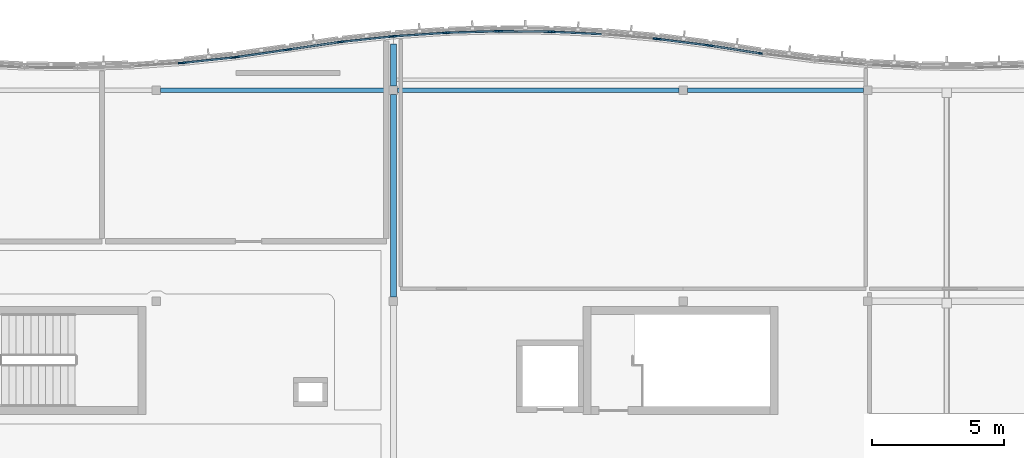
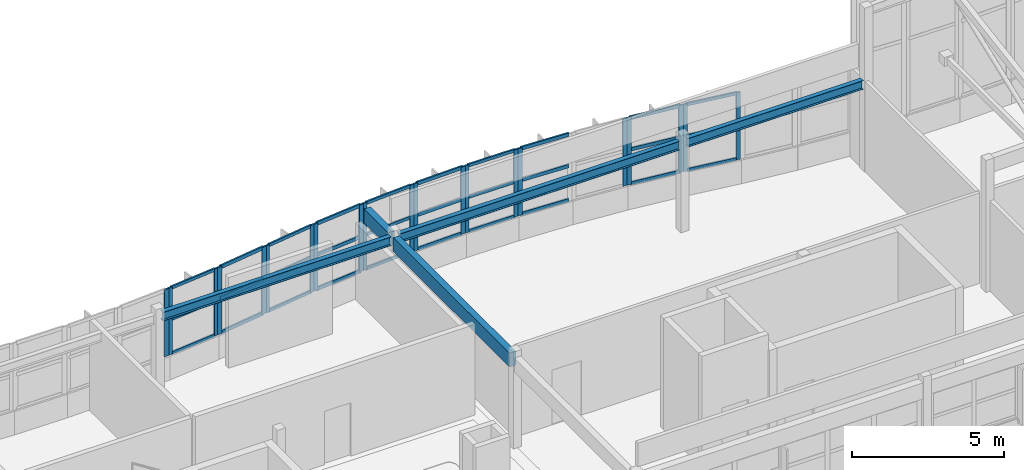
# One storey, part 10 of 33: 51 members, 5 beams, 12 elements without a shape of their own.
"""IFC4 building model written with IfcOpenShell, lengths in metres."""

from ifc_helpers import new_model, si_unit, direction, frame, origin, origin_2d, place, context, subcontext, project, spatial, rectangle, i_section, extrude, material, layer, layer_set, material_profile, profile_set, type_object, element, aggregate, save


model = new_model("IFC4")

# Units and contexts
model_context = context("Model", 3, precision=1e-05, world=origin(), true_north=direction((0.0, 1.0)))
body_context = subcontext(model_context, "Body", "Model", "MODEL_VIEW")
ifc_project = project(units=[si_unit("LENGTHUNIT", "METRE"), si_unit("AREAUNIT", "SQUARE_METRE"), si_unit("VOLUMEUNIT", "CUBIC_METRE"), si_unit("PLANEANGLEUNIT", "RADIAN"), si_unit("MASSUNIT", "GRAM", prefix="KILO")], contexts=[model_context])

# Site, building, storey
site_placement = place(None, origin())
site = spatial("IfcSite", under=ifc_project, at=site_placement, CompositionType="ELEMENT")
building_placement = place(site_placement, origin())
building = spatial("IfcBuilding", under=site, at=building_placement, Name="Tonlespit Floodbar School", CompositionType="ELEMENT")
storey_placement = place(building_placement, frame((0.0, 0.0, 16.199951171875)))
storey = spatial("IfcBuildingStorey", under=building, at=storey_placement, Name="L04", CompositionType="ELEMENT", Elevation=16.199951171875)

# Beams
ifc_material_1 = material(Name="Glulam GL28h", Category="wood")
ifc_material_profile_1 = material_profile(ifc_material_1, rectangle(XDim=0.239990234375, YDim=0.56005859375, at=origin_2d()), Name="GL 240x560")
ifc_profile_set_1 = profile_set([ifc_material_profile_1], Name="Glulam GL28h")
beam_type_1 = type_object("IfcBeamType", Name="Beam_GL_240x560", PredefinedType="BEAM", material=ifc_profile_set_1)
beam_1_placement = place(storey_placement, frame((116.0, 112.159912109375, 3.3701171875), z_axis=(0.0, 1.0, 0.0), x_axis=(-1.0, 0.0, 0.0)))
element("IfcBeam", 1, at=beam_1_placement, inside=storey, type_object=beam_type_1, Name="L04 girder 1320", PredefinedType="BEAM", context=body_context, shape_type="SweptSolid", body=[
    extrude(rectangle(XDim=0.239990234375, YDim=0.56005859375, at=origin_2d()), origin(), (0.0, 0.0, 1.0), 7.68017578125),
])
beam_2_placement = place(storey_placement, frame((116.0, 120.159912109375, 3.3701171875), z_axis=(0.0, 1.0, 0.0), x_axis=(-1.0, 0.0, 0.0)))
element("IfcBeam", 2, at=beam_2_placement, inside=storey, type_object=beam_type_1, Name="L04 north street wave cantilever bracket", PredefinedType="BEAM", context=body_context, shape_type="SweptSolid", body=[
    extrude(rectangle(XDim=0.239990234375, YDim=0.56005859375, at=origin_2d()), origin(), (0.0, 0.0, 1.0), 1.594482421875),
])

# Curtain wall, members
ifc_material_2 = material(Name="Anodised Aluminium", Category="aluminium")
ifc_layer_1 = layer(ifc_material_2, 0.159912109375)
ifc_layer_set_1 = layer_set([ifc_layer_1], Name="Anodised Aluminium")
curtain_wall_type_1 = type_object("IfcCurtainWallType", Name="CurtainWall_1950x2700", PredefinedType="NOTDEFINED", material=ifc_layer_set_1)
curtain_wall_1_placement = place(storey_placement, origin())
curtain_wall_1 = element("IfcCurtainWall", 3, at=curtain_wall_1_placement, inside=storey, type_object=curtain_wall_type_1, Name="L04 unitised curtain wall 0198", PredefinedType="NOTDEFINED")
ifc_material_profile_2 = material_profile(ifc_material_2, rectangle(XDim=0.06494140625, YDim=0.14990234375, at=origin_2d()), Name="ALU M65x150")
ifc_profile_set_2 = profile_set([ifc_material_profile_2], Name="Anodised Aluminium")
member_type_1 = type_object("IfcMemberType", Name="CW_Mullion_65x150", PredefinedType="MULLION", material=ifc_profile_set_2)
member_1_placement = place(storey_placement, frame((108.072021484375, 121.05322265625, 0.949951171875), z_axis=(0.0, 0.0, 1.0), x_axis=(-0.105787143968, 0.994388797288, 0.0)))
member_1 = element("IfcMember", 4, at=member_1_placement, type_object=member_type_1, Name="CW-04 mullion 1", PredefinedType="MULLION", context=body_context, shape_type="SweptSolid", body=[
    extrude(rectangle(XDim=0.06494140625, YDim=0.14990234375, at=origin_2d()), origin(), (0.0, 0.0, 1.0), 2.7001953125),
])
member_2_placement = place(storey_placement, frame((109.927978515625, 121.250732421875, 0.949951171875), z_axis=(0.0, 0.0, 1.0), x_axis=(-0.105787143968, 0.994388797288, 0.0)))
member_2 = element("IfcMember", 5, at=member_2_placement, type_object=member_type_1, Name="CW-04 mullion 2", PredefinedType="MULLION", context=body_context, shape_type="SweptSolid", body=[
    extrude(rectangle(XDim=0.06494140625, YDim=0.14990234375, at=origin_2d()), origin(), (0.0, 0.0, 1.0), 2.7001953125),
])

curtain_wall_2_placement = place(storey_placement, origin())
curtain_wall_2 = element("IfcCurtainWall", 6, at=curtain_wall_2_placement, inside=storey, type_object=curtain_wall_type_1, Name="L04 unitised curtain wall 0200", PredefinedType="NOTDEFINED")
member_3_placement = place(storey_placement, frame((112.07177734375, 121.560546875, 0.949951171875), z_axis=(0.0, 0.0, 1.0), x_axis=(-0.144248041079, 0.989541561858, 0.0)))
member_3 = element("IfcMember", 7, at=member_3_placement, type_object=member_type_1, Name="CW-04 mullion 1", PredefinedType="MULLION", context=body_context, shape_type="SweptSolid", body=[
    extrude(rectangle(XDim=0.06494140625, YDim=0.14990234375, at=origin_2d()), origin(), (0.0, 0.0, 1.0), 2.7001953125),
])
member_4_placement = place(storey_placement, frame((113.92822265625, 121.8310546875, 0.949951171875), z_axis=(0.0, 0.0, 1.0), x_axis=(-0.144248041079, 0.989541561858, 0.0)))
member_4 = element("IfcMember", 8, at=member_4_placement, type_object=member_type_1, Name="CW-04 mullion 2", PredefinedType="MULLION", context=body_context, shape_type="SweptSolid", body=[
    extrude(rectangle(XDim=0.06494140625, YDim=0.14990234375, at=origin_2d()), origin(), (0.0, 0.0, 1.0), 2.7001953125),
])

ifc_layer_2 = layer(ifc_material_2, 0.159912109375)
ifc_layer_set_2 = layer_set([ifc_layer_2], Name="Anodised Aluminium")
curtain_wall_type_2 = type_object("IfcCurtainWallType", Name="CurtainWall_1900x2700", PredefinedType="NOTDEFINED", material=ifc_layer_set_2)
curtain_wall_3_placement = place(storey_placement, origin())
curtain_wall_3 = element("IfcCurtainWall", 9, at=curtain_wall_3_placement, inside=storey, type_object=curtain_wall_type_2, Name="L04 unitised curtain wall 0474", PredefinedType="NOTDEFINED")
member_5_placement = place(storey_placement, frame((116.072265625, 122.05908203125, 0.949951171875), z_axis=(0.0, 0.0, 1.0), x_axis=(-0.067339767311, 0.99773010165, 0.0)))
member_5 = element("IfcMember", 10, at=member_5_placement, type_object=member_type_1, Name="CW-05 mullion 1", PredefinedType="MULLION", context=body_context, shape_type="SweptSolid", body=[
    extrude(rectangle(XDim=0.06494140625, YDim=0.14990234375, at=origin_2d()), origin(), (0.0, 0.0, 1.0), 2.7041015625),
])
member_6_placement = place(storey_placement, frame((117.927734375, 122.184326171875, 0.949951171875), z_axis=(0.0, 0.0, 1.0), x_axis=(-0.067339767311, 0.99773010165, 0.0)))
member_6 = element("IfcMember", 11, at=member_6_placement, type_object=member_type_1, Name="CW-05 mullion 2", PredefinedType="MULLION", context=body_context, shape_type="SweptSolid", body=[
    extrude(rectangle(XDim=0.06494140625, YDim=0.14990234375, at=origin_2d()), origin(), (0.0, 0.0, 1.0), 2.7041015625),
])

curtain_wall_4_placement = place(storey_placement, origin())
curtain_wall_4 = element("IfcCurtainWall", 12, at=curtain_wall_4_placement, inside=storey, type_object=curtain_wall_type_2, Name="L04 unitised curtain wall 0476", PredefinedType="NOTDEFINED")
member_7_placement = place(storey_placement, frame((120.072509765625, 122.246337890625, 0.949951171875), z_axis=(0.0, 0.0, 1.0), x_axis=(0.009582893292, 0.999954083024, 0.0)))
member_7 = element("IfcMember", 13, at=member_7_placement, type_object=member_type_1, Name="CW-05 mullion 1", PredefinedType="MULLION", context=body_context, shape_type="SweptSolid", body=[
    extrude(rectangle(XDim=0.06494140625, YDim=0.14990234375, at=origin_2d()), origin(), (0.0, 0.0, 1.0), 2.7041015625),
])
member_8_placement = place(storey_placement, frame((121.927490234375, 122.228515625, 0.949951171875), z_axis=(0.0, 0.0, 1.0), x_axis=(0.009582893292, 0.999954083024, 0.0)))
member_8 = element("IfcMember", 14, at=member_8_placement, type_object=member_type_1, Name="CW-05 mullion 2", PredefinedType="MULLION", context=body_context, shape_type="SweptSolid", body=[
    extrude(rectangle(XDim=0.06494140625, YDim=0.14990234375, at=origin_2d()), origin(), (0.0, 0.0, 1.0), 2.7041015625),
])

# Curtain wall, member
curtain_wall_5_placement = place(storey_placement, origin())
curtain_wall_5 = element("IfcCurtainWall", 15, at=curtain_wall_5_placement, inside=storey, type_object=curtain_wall_type_1, Name="L04 unitised curtain wall 0478", PredefinedType="NOTDEFINED")
member_9_placement = place(storey_placement, frame((125.927734375, 121.964111328125, 0.949951171875), z_axis=(0.0, 0.0, 1.0), x_axis=(0.086531117454, 0.996249148412, 0.0)))
member_9 = element("IfcMember", 16, at=member_9_placement, type_object=member_type_1, Name="CW-04 mullion 2", PredefinedType="MULLION", context=body_context, shape_type="SweptSolid", body=[
    extrude(rectangle(XDim=0.06494140625, YDim=0.14990234375, at=origin_2d()), origin(), (0.0, 0.0, 1.0), 2.7041015625),
])
aggregate(curtain_wall_5, [member_9])

# Curtain wall, members
curtain_wall_6_placement = place(storey_placement, origin())
curtain_wall_6 = element("IfcCurtainWall", 17, at=curtain_wall_6_placement, inside=storey, type_object=curtain_wall_type_1, Name="L04 unitised curtain wall 0480", PredefinedType="NOTDEFINED")
member_10_placement = place(storey_placement, frame((128.071533203125, 121.694580078125, 0.949951171875), z_axis=(0.0, 0.0, 1.0), x_axis=(0.153796288585, 0.988102576465, 0.0)))
member_10 = element("IfcMember", 18, at=member_10_placement, type_object=member_type_1, Name="CW-04 mullion 1", PredefinedType="MULLION", context=body_context, shape_type="SweptSolid", body=[
    extrude(rectangle(XDim=0.06494140625, YDim=0.14990234375, at=origin_2d()), origin(), (0.0, 0.0, 1.0), 2.7041015625),
])
member_11_placement = place(storey_placement, frame((129.928466796875, 121.405517578125, 0.949951171875), z_axis=(0.0, 0.0, 1.0), x_axis=(0.153796288585, 0.988102576465, 0.0)))
member_11 = element("IfcMember", 19, at=member_11_placement, type_object=member_type_1, Name="CW-04 mullion 2", PredefinedType="MULLION", context=body_context, shape_type="SweptSolid", body=[
    extrude(rectangle(XDim=0.06494140625, YDim=0.14990234375, at=origin_2d()), origin(), (0.0, 0.0, 1.0), 2.7041015625),
])

# Curtain wall, member
curtain_wall_7_placement = place(storey_placement, origin())
curtain_wall_7 = element("IfcCurtainWall", 20, at=curtain_wall_7_placement, inside=storey, type_object=curtain_wall_type_2, Name="L04 unitised curtain wall 0197", PredefinedType="NOTDEFINED")
ifc_material_profile_3 = material_profile(ifc_material_2, rectangle(XDim=0.06494140625, YDim=0.179931640625, at=origin_2d()), Name="ALU M65x180")
ifc_profile_set_3 = profile_set([ifc_material_profile_3], Name="Anodised Aluminium")
member_type_2 = type_object("IfcMemberType", Name="CW_Mullion_65x180", PredefinedType="MULLION", material=ifc_profile_set_3)
member_12_placement = place(storey_placement, frame((107.927734375, 121.040771484375, 0.949951171875), z_axis=(0.0, 0.0, 1.0), x_axis=(-0.067339767311, 0.99773010165, 0.0)))
member_12 = element("IfcMember", 21, at=member_12_placement, type_object=member_type_2, Name="CW-05 mullion 2", PredefinedType="MULLION", context=body_context, shape_type="SweptSolid", body=[
    extrude(rectangle(XDim=0.06494140625, YDim=0.179931640625, at=origin_2d()), origin(), (0.0, 0.0, 1.0), 2.7001953125),
])
aggregate(curtain_wall_7, [member_12])

# Curtain wall, members
curtain_wall_8_placement = place(storey_placement, origin())
curtain_wall_8 = element("IfcCurtainWall", 22, at=curtain_wall_8_placement, inside=storey, type_object=curtain_wall_type_1, Name="L04 unitised curtain wall 0199", PredefinedType="NOTDEFINED")
member_13_placement = place(storey_placement, frame((110.07177734375, 121.268798828125, 0.949951171875), z_axis=(0.0, 0.0, 1.0), x_axis=(-0.144248041079, 0.989541561858, 0.0)))
member_13 = element("IfcMember", 23, at=member_13_placement, type_object=member_type_2, Name="CW-04 mullion 1", PredefinedType="MULLION", context=body_context, shape_type="SweptSolid", body=[
    extrude(rectangle(XDim=0.06494140625, YDim=0.179931640625, at=origin_2d()), origin(), (0.0, 0.0, 1.0), 2.7001953125),
])
member_14_placement = place(storey_placement, frame((111.92822265625, 121.53955078125, 0.949951171875), z_axis=(0.0, 0.0, 1.0), x_axis=(-0.144248041079, 0.989541561858, 0.0)))
member_14 = element("IfcMember", 24, at=member_14_placement, type_object=member_type_2, Name="CW-04 mullion 2", PredefinedType="MULLION", context=body_context, shape_type="SweptSolid", body=[
    extrude(rectangle(XDim=0.06494140625, YDim=0.179931640625, at=origin_2d()), origin(), (0.0, 0.0, 1.0), 2.7001953125),
])

curtain_wall_9_placement = place(storey_placement, origin())
curtain_wall_9 = element("IfcCurtainWall", 25, at=curtain_wall_9_placement, inside=storey, type_object=curtain_wall_type_1, Name="L04 unitised curtain wall 0201", PredefinedType="NOTDEFINED")
member_15_placement = place(storey_placement, frame((114.072021484375, 121.84912109375, 0.949951171875), z_axis=(0.0, 0.0, 1.0), x_axis=(-0.105787143968, 0.994388797288, 0.0)))
member_15 = element("IfcMember", 26, at=member_15_placement, type_object=member_type_2, Name="CW-04 mullion 1", PredefinedType="MULLION", context=body_context, shape_type="SweptSolid", body=[
    extrude(rectangle(XDim=0.06494140625, YDim=0.179931640625, at=origin_2d()), origin(), (0.0, 0.0, 1.0), 2.7001953125),
])
member_16_placement = place(storey_placement, frame((115.927978515625, 122.046630859375, 0.949951171875), z_axis=(0.0, 0.0, 1.0), x_axis=(-0.105787143968, 0.994388797288, 0.0)))
member_16 = element("IfcMember", 27, at=member_16_placement, type_object=member_type_2, Name="CW-04 mullion 2", PredefinedType="MULLION", context=body_context, shape_type="SweptSolid", body=[
    extrude(rectangle(XDim=0.06494140625, YDim=0.179931640625, at=origin_2d()), origin(), (0.0, 0.0, 1.0), 2.7001953125),
])

curtain_wall_10_placement = place(storey_placement, origin())
curtain_wall_10 = element("IfcCurtainWall", 28, at=curtain_wall_10_placement, inside=storey, type_object=curtain_wall_type_2, Name="L04 unitised curtain wall 0475", PredefinedType="NOTDEFINED")
member_17_placement = place(storey_placement, frame((118.072509765625, 122.19140625, 0.949951171875), z_axis=(0.0, 0.0, 1.0), x_axis=(-0.028790144226, 0.999585477883, 0.0)))
member_17 = element("IfcMember", 29, at=member_17_placement, type_object=member_type_2, Name="CW-05 mullion 1", PredefinedType="MULLION", context=body_context, shape_type="SweptSolid", body=[
    extrude(rectangle(XDim=0.06494140625, YDim=0.179931640625, at=origin_2d()), origin(), (0.0, 0.0, 1.0), 2.7041015625),
])
member_18_placement = place(storey_placement, frame((119.927490234375, 122.244873046875, 0.949951171875), z_axis=(0.0, 0.0, 1.0), x_axis=(-0.028790144226, 0.999585477883, 0.0)))
member_18 = element("IfcMember", 30, at=member_18_placement, type_object=member_type_2, Name="CW-05 mullion 2", PredefinedType="MULLION", context=body_context, shape_type="SweptSolid", body=[
    extrude(rectangle(XDim=0.06494140625, YDim=0.179931640625, at=origin_2d()), origin(), (0.0, 0.0, 1.0), 2.7041015625),
])

# Curtain wall, member
curtain_wall_11_placement = place(storey_placement, origin())
curtain_wall_11 = element("IfcCurtainWall", 31, at=curtain_wall_11_placement, inside=storey, type_object=curtain_wall_type_2, Name="L04 unitised curtain wall 0477", PredefinedType="NOTDEFINED")
member_19_placement = place(storey_placement, frame((122.072509765625, 122.224365234375, 0.949951171875), z_axis=(0.0, 0.0, 1.0), x_axis=(0.048121270216, 0.998841500616, 0.0)))
member_19 = element("IfcMember", 32, at=member_19_placement, type_object=member_type_2, Name="CW-05 mullion 1", PredefinedType="MULLION", context=body_context, shape_type="SweptSolid", body=[
    extrude(rectangle(XDim=0.06494140625, YDim=0.179931640625, at=origin_2d()), origin(), (0.0, 0.0, 1.0), 2.7041015625),
])

# Curtain wall, members
curtain_wall_12_placement = place(storey_placement, origin())
curtain_wall_12 = element("IfcCurtainWall", 33, at=curtain_wall_12_placement, inside=storey, type_object=curtain_wall_type_1, Name="L04 unitised curtain wall 0479", PredefinedType="NOTDEFINED")
member_20_placement = place(storey_placement, frame((126.072021484375, 121.94873046875, 0.949951171875), z_axis=(0.0, 0.0, 1.0), x_axis=(0.125013803299, 0.992155002499, 0.0)))
member_20 = element("IfcMember", 34, at=member_20_placement, type_object=member_type_2, Name="CW-04 mullion 1", PredefinedType="MULLION", context=body_context, shape_type="SweptSolid", body=[
    extrude(rectangle(XDim=0.06494140625, YDim=0.179931640625, at=origin_2d()), origin(), (0.0, 0.0, 1.0), 2.7041015625),
])
member_21_placement = place(storey_placement, frame((127.927978515625, 121.71484375, 0.949951171875), z_axis=(0.0, 0.0, 1.0), x_axis=(0.125013803299, 0.992155002499, 0.0)))
member_21 = element("IfcMember", 35, at=member_21_placement, type_object=member_type_2, Name="CW-04 mullion 2", PredefinedType="MULLION", context=body_context, shape_type="SweptSolid", body=[
    extrude(rectangle(XDim=0.06494140625, YDim=0.179931640625, at=origin_2d()), origin(), (0.0, 0.0, 1.0), 2.7041015625),
])

# Member
ifc_material_profile_4 = material_profile(ifc_material_2, rectangle(XDim=0.06494140625, YDim=0.1201171875, at=origin_2d()), Name="ALU T65x120")
ifc_profile_set_4 = profile_set([ifc_material_profile_4], Name="Anodised Aluminium")
member_type_3 = type_object("IfcMemberType", Name="CW_Transom_65x120", PredefinedType="USERDEFINED", material=ifc_profile_set_4)
member_22_placement = place(storey_placement, frame((108.1044921875, 121.056884765625, 0.982666015625), z_axis=(0.994394979136, 0.105729019047, 0.0), x_axis=(-0.105729019047, 0.994394979136, 0.0)))
member_22 = element("IfcMember", 36, at=member_22_placement, type_object=member_type_3, Name="CW-04 transom 1.1", ObjectType="TRANSOM", PredefinedType="USERDEFINED", context=body_context, shape_type="SweptSolid", body=[
    extrude(rectangle(XDim=0.06494140625, YDim=0.1201171875, at=origin_2d()), origin(), (0.0, 0.0, 1.0), 1.801025390625),
])

member_23_placement = place(storey_placement, frame((108.1044921875, 121.056884765625, 2.35400390625), z_axis=(0.994394979136, 0.105729019047, 0.0), x_axis=(-0.105729019047, 0.994394979136, 0.0)))
member_23 = element("IfcMember", 37, at=member_23_placement, type_object=member_type_3, Name="CW-04 transom 1.2", ObjectType="TRANSOM", PredefinedType="USERDEFINED", context=body_context, shape_type="SweptSolid", body=[
    extrude(rectangle(XDim=0.06494140625, YDim=0.1201171875, at=origin_2d()), origin(), (0.0, 0.0, 1.0), 1.801025390625),
])

member_24_placement = place(storey_placement, frame((108.1044921875, 121.056884765625, 3.617431640625), z_axis=(0.994394979136, 0.105729019047, 0.0), x_axis=(-0.105729019047, 0.994394979136, 0.0)))
member_24 = element("IfcMember", 38, at=member_24_placement, type_object=member_type_3, Name="CW-04 transom 1.3", ObjectType="TRANSOM", PredefinedType="USERDEFINED", context=body_context, shape_type="SweptSolid", body=[
    extrude(rectangle(XDim=0.06494140625, YDim=0.1201171875, at=origin_2d()), origin(), (0.0, 0.0, 1.0), 1.801025390625),
])

aggregate(curtain_wall_1, [member_1, member_2, member_22, member_23, member_24])

member_25_placement = place(storey_placement, frame((112.10400390625, 121.565185546875, 0.982666015625), z_axis=(0.989541000818, 0.144251889765, 0.0), x_axis=(-0.144251889765, 0.989541000818, 0.0)))
member_25 = element("IfcMember", 39, at=member_25_placement, type_object=member_type_3, Name="CW-04 transom 1.1", ObjectType="TRANSOM", PredefinedType="USERDEFINED", context=body_context, shape_type="SweptSolid", body=[
    extrude(rectangle(XDim=0.06494140625, YDim=0.1201171875, at=origin_2d()), origin(), (0.0, 0.0, 1.0), 1.81103515625),
])

member_26_placement = place(storey_placement, frame((112.10400390625, 121.565185546875, 2.35400390625), z_axis=(0.989541000818, 0.144251889765, 0.0), x_axis=(-0.144251889765, 0.989541000818, 0.0)))
member_26 = element("IfcMember", 40, at=member_26_placement, type_object=member_type_3, Name="CW-04 transom 1.2", ObjectType="TRANSOM", PredefinedType="USERDEFINED", context=body_context, shape_type="SweptSolid", body=[
    extrude(rectangle(XDim=0.06494140625, YDim=0.1201171875, at=origin_2d()), origin(), (0.0, 0.0, 1.0), 1.81103515625),
])

member_27_placement = place(storey_placement, frame((112.10400390625, 121.565185546875, 3.617431640625), z_axis=(0.989541000818, 0.144251889765, 0.0), x_axis=(-0.144251889765, 0.989541000818, 0.0)))
member_27 = element("IfcMember", 41, at=member_27_placement, type_object=member_type_3, Name="CW-04 transom 1.3", ObjectType="TRANSOM", PredefinedType="USERDEFINED", context=body_context, shape_type="SweptSolid", body=[
    extrude(rectangle(XDim=0.06494140625, YDim=0.1201171875, at=origin_2d()), origin(), (0.0, 0.0, 1.0), 1.81103515625),
])

aggregate(curtain_wall_2, [member_3, member_4, member_25, member_26, member_27])

member_28_placement = place(storey_placement, frame((116.104736328125, 122.061279296875, 0.982666015625), z_axis=(0.997730041674, 0.067340655935, 0.0), x_axis=(-0.067340655935, 0.997730041674, 0.0)))
member_28 = element("IfcMember", 42, at=member_28_placement, type_object=member_type_3, Name="CW-05 transom 1.1", ObjectType="TRANSOM", PredefinedType="USERDEFINED", context=body_context, shape_type="SweptSolid", body=[
    extrude(rectangle(XDim=0.06494140625, YDim=0.1201171875, at=origin_2d()), origin(), (0.0, 0.0, 1.0), 1.794677734375),
])

member_29_placement = place(storey_placement, frame((116.104736328125, 122.061279296875, 2.356201171875), z_axis=(0.997730041674, 0.067340655935, 0.0), x_axis=(-0.067340655935, 0.997730041674, 0.0)))
member_29 = element("IfcMember", 43, at=member_29_placement, type_object=member_type_3, Name="CW-05 transom 1.2", ObjectType="TRANSOM", PredefinedType="USERDEFINED", context=body_context, shape_type="SweptSolid", body=[
    extrude(rectangle(XDim=0.06494140625, YDim=0.1201171875, at=origin_2d()), origin(), (0.0, 0.0, 1.0), 1.794677734375),
])

member_30_placement = place(storey_placement, frame((116.104736328125, 122.061279296875, 3.62158203125), z_axis=(0.997730041674, 0.067340655935, 0.0), x_axis=(-0.067340655935, 0.997730041674, 0.0)))
member_30 = element("IfcMember", 44, at=member_30_placement, type_object=member_type_3, Name="CW-05 transom 1.3", ObjectType="TRANSOM", PredefinedType="USERDEFINED", context=body_context, shape_type="SweptSolid", body=[
    extrude(rectangle(XDim=0.06494140625, YDim=0.1201171875, at=origin_2d()), origin(), (0.0, 0.0, 1.0), 1.794677734375),
])

aggregate(curtain_wall_3, [member_5, member_6, member_28, member_29, member_30])

member_31_placement = place(storey_placement, frame((120.10498046875, 122.24609375, 0.982666015625), z_axis=(0.999953117448, -0.009683124842, 0.0), x_axis=(0.009683124842, 0.999953117448, 0.0)))
member_31 = element("IfcMember", 45, at=member_31_placement, type_object=member_type_3, Name="CW-05 transom 1.1", ObjectType="TRANSOM", PredefinedType="USERDEFINED", context=body_context, shape_type="SweptSolid", body=[
    extrude(rectangle(XDim=0.06494140625, YDim=0.1201171875, at=origin_2d()), origin(), (0.0, 0.0, 1.0), 1.7900390625),
])

member_32_placement = place(storey_placement, frame((120.10498046875, 122.24609375, 2.356201171875), z_axis=(0.999953117448, -0.009683124842, 0.0), x_axis=(0.009683124842, 0.999953117448, 0.0)))
member_32 = element("IfcMember", 46, at=member_32_placement, type_object=member_type_3, Name="CW-05 transom 1.2", ObjectType="TRANSOM", PredefinedType="USERDEFINED", context=body_context, shape_type="SweptSolid", body=[
    extrude(rectangle(XDim=0.06494140625, YDim=0.1201171875, at=origin_2d()), origin(), (0.0, 0.0, 1.0), 1.7900390625),
])

member_33_placement = place(storey_placement, frame((120.10498046875, 122.24609375, 3.62158203125), z_axis=(0.999953117448, -0.009683124842, 0.0), x_axis=(0.009683124842, 0.999953117448, 0.0)))
member_33 = element("IfcMember", 47, at=member_33_placement, type_object=member_type_3, Name="CW-05 transom 1.3", ObjectType="TRANSOM", PredefinedType="USERDEFINED", context=body_context, shape_type="SweptSolid", body=[
    extrude(rectangle(XDim=0.06494140625, YDim=0.1201171875, at=origin_2d()), origin(), (0.0, 0.0, 1.0), 1.7900390625),
])

aggregate(curtain_wall_4, [member_7, member_8, member_31, member_32, member_33])

member_34_placement = place(storey_placement, frame((128.103759765625, 121.689453125, 0.982666015625), z_axis=(0.988097838313, -0.15382672694, 0.0), x_axis=(0.15382672694, 0.988097838313, 0.0)))
member_34 = element("IfcMember", 48, at=member_34_placement, type_object=member_type_3, Name="CW-04 transom 1.1", ObjectType="TRANSOM", PredefinedType="USERDEFINED", context=body_context, shape_type="SweptSolid", body=[
    extrude(rectangle(XDim=0.06494140625, YDim=0.1201171875, at=origin_2d()), origin(), (0.0, 0.0, 1.0), 1.81396484375),
])

member_35_placement = place(storey_placement, frame((128.103759765625, 121.689453125, 2.356201171875), z_axis=(0.988097838313, -0.15382672694, 0.0), x_axis=(0.15382672694, 0.988097838313, 0.0)))
member_35 = element("IfcMember", 49, at=member_35_placement, type_object=member_type_3, Name="CW-04 transom 1.2", ObjectType="TRANSOM", PredefinedType="USERDEFINED", context=body_context, shape_type="SweptSolid", body=[
    extrude(rectangle(XDim=0.06494140625, YDim=0.1201171875, at=origin_2d()), origin(), (0.0, 0.0, 1.0), 1.81396484375),
])

member_36_placement = place(storey_placement, frame((128.103759765625, 121.689453125, 3.62158203125), z_axis=(0.988097838313, -0.15382672694, 0.0), x_axis=(0.15382672694, 0.988097838313, 0.0)))
member_36 = element("IfcMember", 50, at=member_36_placement, type_object=member_type_3, Name="CW-04 transom 1.3", ObjectType="TRANSOM", PredefinedType="USERDEFINED", context=body_context, shape_type="SweptSolid", body=[
    extrude(rectangle(XDim=0.06494140625, YDim=0.1201171875, at=origin_2d()), origin(), (0.0, 0.0, 1.0), 1.81396484375),
])

aggregate(curtain_wall_6, [member_10, member_11, member_34, member_35, member_36])

ifc_material_profile_5 = material_profile(ifc_material_2, rectangle(XDim=0.06494140625, YDim=0.139892578125, at=origin_2d()), Name="ALU T65x140")
ifc_profile_set_5 = profile_set([ifc_material_profile_5], Name="Anodised Aluminium")
member_type_4 = type_object("IfcMemberType", Name="CW_Transom_65x140", PredefinedType="USERDEFINED", material=ifc_profile_set_5)
member_37_placement = place(storey_placement, frame((110.10400390625, 121.273681640625, 0.982666015625), z_axis=(0.989541000818, 0.144251889765, 0.0), x_axis=(-0.144251889765, 0.989541000818, 0.0)))
member_37 = element("IfcMember", 51, at=member_37_placement, type_object=member_type_4, Name="CW-04 transom 1.1", ObjectType="TRANSOM", PredefinedType="USERDEFINED", context=body_context, shape_type="SweptSolid", body=[
    extrude(rectangle(XDim=0.06494140625, YDim=0.139892578125, at=origin_2d()), origin(), (0.0, 0.0, 1.0), 1.81103515625),
])

member_38_placement = place(storey_placement, frame((110.10400390625, 121.273681640625, 2.35400390625), z_axis=(0.989541000818, 0.144251889765, 0.0), x_axis=(-0.144251889765, 0.989541000818, 0.0)))
member_38 = element("IfcMember", 52, at=member_38_placement, type_object=member_type_4, Name="CW-04 transom 1.2", ObjectType="TRANSOM", PredefinedType="USERDEFINED", context=body_context, shape_type="SweptSolid", body=[
    extrude(rectangle(XDim=0.06494140625, YDim=0.139892578125, at=origin_2d()), origin(), (0.0, 0.0, 1.0), 1.81103515625),
])

member_39_placement = place(storey_placement, frame((110.10400390625, 121.273681640625, 3.617431640625), z_axis=(0.989541000818, 0.144251889765, 0.0), x_axis=(-0.144251889765, 0.989541000818, 0.0)))
member_39 = element("IfcMember", 53, at=member_39_placement, type_object=member_type_4, Name="CW-04 transom 1.3", ObjectType="TRANSOM", PredefinedType="USERDEFINED", context=body_context, shape_type="SweptSolid", body=[
    extrude(rectangle(XDim=0.06494140625, YDim=0.139892578125, at=origin_2d()), origin(), (0.0, 0.0, 1.0), 1.81103515625),
])

aggregate(curtain_wall_8, [member_13, member_14, member_37, member_38, member_39])

member_40_placement = place(storey_placement, frame((114.1044921875, 121.852783203125, 0.982666015625), z_axis=(0.994394979136, 0.105729019047, 0.0), x_axis=(-0.105729019047, 0.994394979136, 0.0)))
member_40 = element("IfcMember", 54, at=member_40_placement, type_object=member_type_4, Name="CW-04 transom 1.1", ObjectType="TRANSOM", PredefinedType="USERDEFINED", context=body_context, shape_type="SweptSolid", body=[
    extrude(rectangle(XDim=0.06494140625, YDim=0.139892578125, at=origin_2d()), origin(), (0.0, 0.0, 1.0), 1.801025390625),
])

member_41_placement = place(storey_placement, frame((114.1044921875, 121.852783203125, 2.35400390625), z_axis=(0.994394979136, 0.105729019047, 0.0), x_axis=(-0.105729019047, 0.994394979136, 0.0)))
member_41 = element("IfcMember", 55, at=member_41_placement, type_object=member_type_4, Name="CW-04 transom 1.2", ObjectType="TRANSOM", PredefinedType="USERDEFINED", context=body_context, shape_type="SweptSolid", body=[
    extrude(rectangle(XDim=0.06494140625, YDim=0.139892578125, at=origin_2d()), origin(), (0.0, 0.0, 1.0), 1.801025390625),
])

member_42_placement = place(storey_placement, frame((114.1044921875, 121.852783203125, 3.617431640625), z_axis=(0.994394979136, 0.105729019047, 0.0), x_axis=(-0.105729019047, 0.994394979136, 0.0)))
member_42 = element("IfcMember", 56, at=member_42_placement, type_object=member_type_4, Name="CW-04 transom 1.3", ObjectType="TRANSOM", PredefinedType="USERDEFINED", context=body_context, shape_type="SweptSolid", body=[
    extrude(rectangle(XDim=0.06494140625, YDim=0.139892578125, at=origin_2d()), origin(), (0.0, 0.0, 1.0), 1.801025390625),
])

aggregate(curtain_wall_9, [member_15, member_16, member_40, member_41, member_42])

member_43_placement = place(storey_placement, frame((118.10498046875, 122.1923828125, 0.982666015625), z_axis=(0.999586171543, 0.02876605049, 0.0), x_axis=(-0.02876605049, 0.999586171543, 0.0)))
member_43 = element("IfcMember", 57, at=member_43_placement, type_object=member_type_4, Name="CW-05 transom 1.1", ObjectType="TRANSOM", PredefinedType="USERDEFINED", context=body_context, shape_type="SweptSolid", body=[
    extrude(rectangle(XDim=0.06494140625, YDim=0.139892578125, at=origin_2d()), origin(), (0.0, 0.0, 1.0), 1.790771484375),
])

member_44_placement = place(storey_placement, frame((118.10498046875, 122.1923828125, 2.356201171875), z_axis=(0.999586171543, 0.02876605049, 0.0), x_axis=(-0.02876605049, 0.999586171543, 0.0)))
member_44 = element("IfcMember", 58, at=member_44_placement, type_object=member_type_4, Name="CW-05 transom 1.2", ObjectType="TRANSOM", PredefinedType="USERDEFINED", context=body_context, shape_type="SweptSolid", body=[
    extrude(rectangle(XDim=0.06494140625, YDim=0.139892578125, at=origin_2d()), origin(), (0.0, 0.0, 1.0), 1.790771484375),
])

member_45_placement = place(storey_placement, frame((118.10498046875, 122.1923828125, 3.62158203125), z_axis=(0.999586171543, 0.02876605049, 0.0), x_axis=(-0.02876605049, 0.999586171543, 0.0)))
member_45 = element("IfcMember", 59, at=member_45_placement, type_object=member_type_4, Name="CW-05 transom 1.3", ObjectType="TRANSOM", PredefinedType="USERDEFINED", context=body_context, shape_type="SweptSolid", body=[
    extrude(rectangle(XDim=0.06494140625, YDim=0.139892578125, at=origin_2d()), origin(), (0.0, 0.0, 1.0), 1.790771484375),
])

aggregate(curtain_wall_10, [member_17, member_18, member_43, member_44, member_45])

member_46_placement = place(storey_placement, frame((122.10498046875, 122.22265625, 0.982666015625), z_axis=(0.998843034795, -0.048089415069, 0.0), x_axis=(0.048089415069, 0.998843034795, 0.0)))
member_46 = element("IfcMember", 60, at=member_46_placement, type_object=member_type_4, Name="CW-05 transom 1.1", ObjectType="TRANSOM", PredefinedType="USERDEFINED", context=body_context, shape_type="SweptSolid", body=[
    extrude(rectangle(XDim=0.06494140625, YDim=0.139892578125, at=origin_2d()), origin(), (0.0, 0.0, 1.0), 1.7919921875),
])

member_47_placement = place(storey_placement, frame((122.10498046875, 122.22265625, 2.356201171875), z_axis=(0.998843034795, -0.048089415069, 0.0), x_axis=(0.048089415069, 0.998843034795, 0.0)))
member_47 = element("IfcMember", 61, at=member_47_placement, type_object=member_type_4, Name="CW-05 transom 1.2", ObjectType="TRANSOM", PredefinedType="USERDEFINED", context=body_context, shape_type="SweptSolid", body=[
    extrude(rectangle(XDim=0.06494140625, YDim=0.139892578125, at=origin_2d()), origin(), (0.0, 0.0, 1.0), 1.7919921875),
])

member_48_placement = place(storey_placement, frame((122.10498046875, 122.22265625, 3.62158203125), z_axis=(0.998843034795, -0.048089415069, 0.0), x_axis=(0.048089415069, 0.998843034795, 0.0)))
member_48 = element("IfcMember", 62, at=member_48_placement, type_object=member_type_4, Name="CW-05 transom 1.3", ObjectType="TRANSOM", PredefinedType="USERDEFINED", context=body_context, shape_type="SweptSolid", body=[
    extrude(rectangle(XDim=0.06494140625, YDim=0.139892578125, at=origin_2d()), origin(), (0.0, 0.0, 1.0), 1.7919921875),
])

aggregate(curtain_wall_11, [member_19, member_46, member_47, member_48])

member_49_placement = place(storey_placement, frame((126.104248046875, 121.944580078125, 0.982666015625), z_axis=(0.992148373735, -0.125066400341, 0.0), x_axis=(0.125066400341, 0.992148373735, 0.0)))
member_49 = element("IfcMember", 63, at=member_49_placement, type_object=member_type_4, Name="CW-04 transom 1.1", ObjectType="TRANSOM", PredefinedType="USERDEFINED", context=body_context, shape_type="SweptSolid", body=[
    extrude(rectangle(XDim=0.06494140625, YDim=0.139892578125, at=origin_2d()), origin(), (0.0, 0.0, 1.0), 1.8056640625),
])

member_50_placement = place(storey_placement, frame((126.104248046875, 121.944580078125, 2.356201171875), z_axis=(0.992148373735, -0.125066400341, 0.0), x_axis=(0.125066400341, 0.992148373735, 0.0)))
member_50 = element("IfcMember", 64, at=member_50_placement, type_object=member_type_4, Name="CW-04 transom 1.2", ObjectType="TRANSOM", PredefinedType="USERDEFINED", context=body_context, shape_type="SweptSolid", body=[
    extrude(rectangle(XDim=0.06494140625, YDim=0.139892578125, at=origin_2d()), origin(), (0.0, 0.0, 1.0), 1.8056640625),
])

member_51_placement = place(storey_placement, frame((126.104248046875, 121.944580078125, 3.62158203125), z_axis=(0.992148373735, -0.125066400341, 0.0), x_axis=(0.125066400341, 0.992148373735, 0.0)))
member_51 = element("IfcMember", 65, at=member_51_placement, type_object=member_type_4, Name="CW-04 transom 1.3", ObjectType="TRANSOM", PredefinedType="USERDEFINED", context=body_context, shape_type="SweptSolid", body=[
    extrude(rectangle(XDim=0.06494140625, YDim=0.139892578125, at=origin_2d()), origin(), (0.0, 0.0, 1.0), 1.8056640625),
])

aggregate(curtain_wall_12, [member_20, member_21, member_49, member_50, member_51])

# Beams
ifc_material_3 = material(Name="Steel S355", Category="steel")
ifc_material_profile_6 = material_profile(ifc_material_3, i_section(OverallWidth=0.169921875, OverallDepth=0.360107421875, WebThickness=0.008056640625, FlangeThickness=0.0126953125, at=origin_2d()), Name="IPE 360")
ifc_profile_set_6 = profile_set([ifc_material_profile_6], Name="Steel S355")
beam_type_2 = type_object("IfcBeamType", Name="Spandrel_STL_IPE360", PredefinedType="SPANDREL", material=ifc_profile_set_6)
beam_3_placement = place(storey_placement, frame((107.159912109375, 120.0, 3.469970703125), z_axis=(1.0, 0.0, 0.0), x_axis=(0.0, 1.0, 0.0)))
element("IfcBeam", 66, at=beam_3_placement, inside=storey, type_object=beam_type_2, Name="L04 girder 1304", PredefinedType="SPANDREL", context=body_context, shape_type="SweptSolid", body=[
    extrude(i_section(OverallWidth=0.169921875, OverallDepth=0.360107421875, WebThickness=0.008056640625, FlangeThickness=0.0126953125, at=origin_2d()), origin(), (0.0, 0.0, 1.0), 8.68017578125),
])
beam_4_placement = place(storey_placement, frame((116.159912109375, 120.0, 3.469970703125), z_axis=(1.0, 0.0, 0.0), x_axis=(0.0, 1.0, 0.0)))
element("IfcBeam", 67, at=beam_4_placement, inside=storey, type_object=beam_type_2, Name="L04 girder 1305", PredefinedType="SPANDREL", context=body_context, shape_type="SweptSolid", body=[
    extrude(i_section(OverallWidth=0.169921875, OverallDepth=0.360107421875, WebThickness=0.008056640625, FlangeThickness=0.0126953125, at=origin_2d()), origin(), (0.0, 0.0, 1.0), 10.68017578125),
])
beam_5_placement = place(storey_placement, frame((127.159912109375, 120.0, 3.469970703125), z_axis=(1.0, 0.0, 0.0), x_axis=(0.0, 1.0, 0.0)))
element("IfcBeam", 68, at=beam_5_placement, inside=storey, type_object=beam_type_2, Name="L04 girder 1306", PredefinedType="SPANDREL", context=body_context, shape_type="SweptSolid", body=[
    extrude(i_section(OverallWidth=0.169921875, OverallDepth=0.360107421875, WebThickness=0.008056640625, FlangeThickness=0.0126953125, at=origin_2d()), origin(), (0.0, 0.0, 1.0), 6.68017578125),
])

save(model, "model.ifc")
